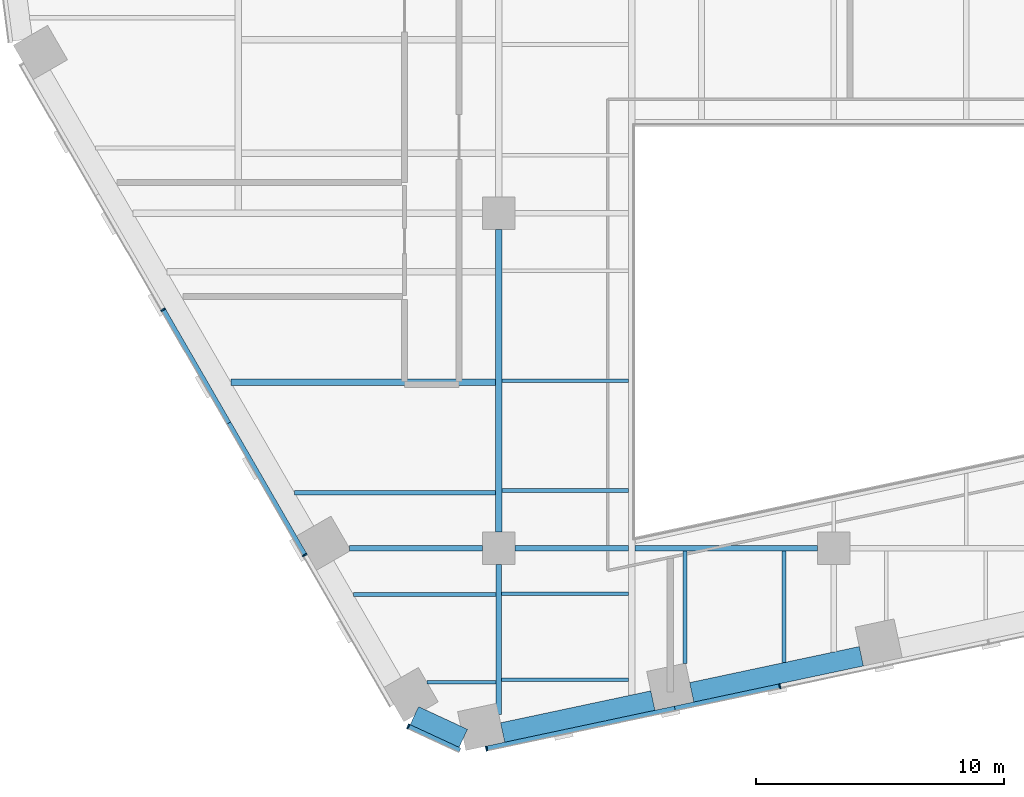
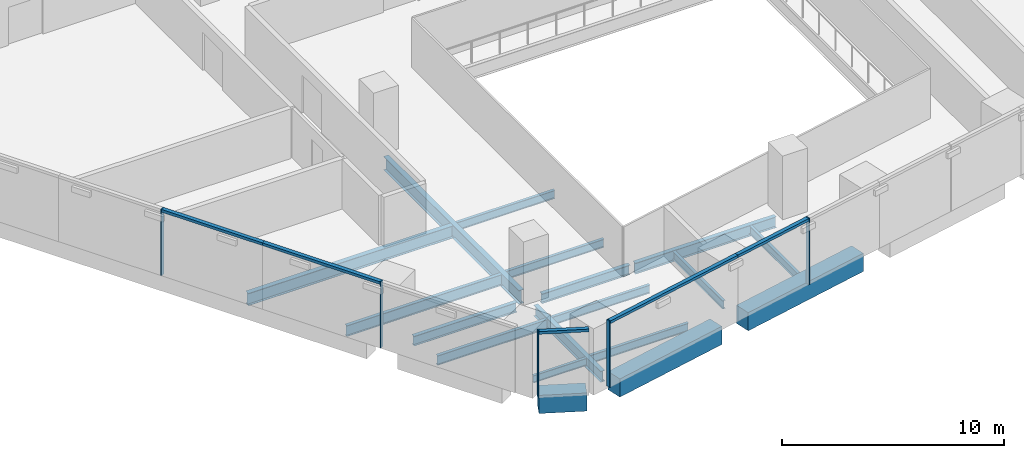
# One storey, part 2 of 21: 18 beams, 10 members, 3 elements without a shape of their own.
"""IFC4 building model written with IfcOpenShell, lengths in metres."""

from ifc_helpers import new_model, si_unit, direction, frame, origin, origin_2d, place, context, subcontext, project, spatial, rectangle, i_section, extrude, material, layer, layer_set, material_profile, profile_set, type_object, element, aggregate, save


model = new_model("IFC4")

# Units and contexts
model_context = context("Model", 3, precision=1e-05, world=origin(), true_north=direction((0.0, 1.0)))
body_context = subcontext(model_context, "Body", "Model", "MODEL_VIEW")
ifc_project = project(units=[si_unit("LENGTHUNIT", "METRE"), si_unit("AREAUNIT", "SQUARE_METRE"), si_unit("VOLUMEUNIT", "CUBIC_METRE"), si_unit("PLANEANGLEUNIT", "RADIAN"), si_unit("MASSUNIT", "GRAM", prefix="KILO")], contexts=[model_context])

# Site, building, storey
site_placement = place(None, origin())
site = spatial("IfcSite", under=ifc_project, at=site_placement, CompositionType="ELEMENT")
building_placement = place(site_placement, origin())
building = spatial("IfcBuilding", under=site, at=building_placement, Name="Isthmus Gate Tower", CompositionType="ELEMENT")
storey_placement = place(building_placement, frame((0.0, 0.0, 109.85009765625)))
storey = spatial("IfcBuildingStorey", under=building, at=storey_placement, Name="L26", CompositionType="ELEMENT", Elevation=109.85009765625)

# Curtain wall, members
ifc_material_1 = material(Name="Aluminium, pale champagne anodised", Category="aluminium")
ifc_layer = layer(ifc_material_1, 0.199951171875)
ifc_layer_set = layer_set([ifc_layer], Name="CW-1 UNITISED CURTAIN WALL 200 DEEP")
curtain_wall_type = type_object("IfcCurtainWallType", Name="CW-1 UNITISED CURTAIN WALL 200 DEEP", PredefinedType="NOTDEFINED", material=ifc_layer_set)
curtain_wall_1_placement = place(storey_placement, origin())
curtain_wall_1 = element("IfcCurtainWall", 1, at=curtain_wall_1_placement, inside=storey, type_object=curtain_wall_type, Name="CW-1 SW L26", PredefinedType="NOTDEFINED")
ifc_material_2 = material(Name="Aluminium, pale champagne anodised", Category="aluminium")
ifc_material_profile_1 = material_profile(ifc_material_2, rectangle(XDim=0.06005859375, YDim=0.199951171875, at=origin_2d()), Name="60x200")
ifc_profile_set_1 = profile_set([ifc_material_profile_1], Name="Aluminium, pale champagne anodised")
member_type_1 = type_object("IfcMemberType", Name="CW-1 MULLION 60 X 200", PredefinedType="MULLION", material=ifc_profile_set_1)
member_1_placement = place(storey_placement, frame((-27.026611328125, -17.388427734375, 0.0), z_axis=(0.0, 0.0, 1.0), x_axis=(0.5, -0.866025403784, 0.0)))
member_1 = element("IfcMember", 2, at=member_1_placement, type_object=member_type_1, Name="CW-1 mullion", PredefinedType="MULLION", context=body_context, shape_type="SweptSolid", body=[
    extrude(rectangle(XDim=0.06005859375, YDim=0.199951171875, at=origin_2d()), origin(), (0.0, 0.0, 1.0), 3.64990234375),
])
member_2_placement = place(storey_placement, frame((-21.318115234375, -27.27587890625, 0.0), z_axis=(0.0, 0.0, 1.0), x_axis=(0.5, -0.866025403784, 0.0)))
member_2 = element("IfcMember", 3, at=member_2_placement, type_object=member_type_1, Name="CW-1 mullion", PredefinedType="MULLION", context=body_context, shape_type="SweptSolid", body=[
    extrude(rectangle(XDim=0.06005859375, YDim=0.199951171875, at=origin_2d()), origin(), (0.0, 0.0, 1.0), 3.64990234375),
])

# Curtain wall, member
curtain_wall_2_placement = place(storey_placement, origin())
curtain_wall_2 = element("IfcCurtainWall", 4, at=curtain_wall_2_placement, inside=storey, type_object=curtain_wall_type, Name="CW-1 SW-S L26", PredefinedType="NOTDEFINED")
member_3_placement = place(storey_placement, frame((-17.14794921875, -34.184814453125, 0.0), z_axis=(0.0, 0.0, 1.0), x_axis=(0.907256261367, -0.420578264073, 0.0)))
member_3 = element("IfcMember", 5, at=member_3_placement, type_object=member_type_1, Name="CW-1 mullion", PredefinedType="MULLION", context=body_context, shape_type="SweptSolid", body=[
    extrude(rectangle(XDim=0.06005859375, YDim=0.199951171875, at=origin_2d()), origin(), (0.0, 0.0, 1.0), 3.64990234375),
])

# Curtain wall, members
curtain_wall_3_placement = place(storey_placement, origin())
curtain_wall_3 = element("IfcCurtainWall", 6, at=curtain_wall_3_placement, inside=storey, type_object=curtain_wall_type, Name="CW-1 S L26", PredefinedType="NOTDEFINED")
member_4_placement = place(storey_placement, frame((-13.992919921875, -35.076416015625, 0.0), z_axis=(0.0, 0.0, 1.0), x_axis=(0.978147600734, 0.207911690818, 0.0)))
member_4 = element("IfcMember", 7, at=member_4_placement, type_object=member_type_1, Name="CW-1 mullion", PredefinedType="MULLION", context=body_context, shape_type="SweptSolid", body=[
    extrude(rectangle(XDim=0.06005859375, YDim=0.199951171875, at=origin_2d()), origin(), (0.0, 0.0, 1.0), 3.64990234375),
])
member_5_placement = place(storey_placement, frame((-2.1728515625, -32.564208984375, 0.0), z_axis=(0.0, 0.0, 1.0), x_axis=(0.978147600734, 0.207911690818, 0.0)))
member_5 = element("IfcMember", 8, at=member_5_placement, type_object=member_type_1, Name="CW-1 mullion", PredefinedType="MULLION", context=body_context, shape_type="SweptSolid", body=[
    extrude(rectangle(XDim=0.06005859375, YDim=0.199951171875, at=origin_2d()), origin(), (0.0, 0.0, 1.0), 3.64990234375),
])

# Member
ifc_material_3 = material(Name="Aluminium, pale champagne anodised", Category="aluminium")
ifc_material_profile_2 = material_profile(ifc_material_3, rectangle(XDim=0.199951171875, YDim=0.14990234375, at=origin_2d()), Name="200x150")
ifc_profile_set_2 = profile_set([ifc_material_profile_2], Name="Aluminium, pale champagne anodised")
member_type_2 = type_object("IfcMemberType", Name="CW-1 TRANSOM 200 X 150", PredefinedType="USERDEFINED", material=ifc_profile_set_2)
member_6_placement = place(storey_placement, frame((-27.01171875, -17.414306640625, 3.574951171875), z_axis=(0.499996256241, -0.866027565234, 0.0), x_axis=(0.866027565234, 0.499996256241, 0.0)))
member_6 = element("IfcMember", 9, at=member_6_placement, type_object=member_type_2, Name="CW-1 transom", ObjectType="TRANSOM", PredefinedType="USERDEFINED", context=body_context, shape_type="SweptSolid", body=[
    extrude(rectangle(XDim=0.199951171875, YDim=0.14990234375, at=origin_2d()), origin(), (0.0, 0.0, 1.0), 5.24853515625),
])

member_7_placement = place(storey_placement, frame((-24.387451171875, -21.959716796875, 3.574951171875), z_axis=(0.500011900272, -0.86601853305, 0.0), x_axis=(0.86601853305, 0.500011900272, 0.0)))
member_7 = element("IfcMember", 10, at=member_7_placement, type_object=member_type_2, Name="CW-1 transom", ObjectType="TRANSOM", PredefinedType="USERDEFINED", context=body_context, shape_type="SweptSolid", body=[
    extrude(rectangle(XDim=0.199951171875, YDim=0.14990234375, at=origin_2d()), origin(), (0.0, 0.0, 1.0), 6.108642578125),
])

aggregate(curtain_wall_1, [member_1, member_6, member_7, member_2])

member_8_placement = place(storey_placement, frame((-17.120849609375, -34.197509765625, 3.574951171875), z_axis=(0.907246225564, -0.420599912268, 0.0), x_axis=(0.420599912268, 0.907246225564, 0.0)))
member_8 = element("IfcMember", 11, at=member_8_placement, type_object=member_type_2, Name="CW-1 transom", ObjectType="TRANSOM", PredefinedType="USERDEFINED", context=body_context, shape_type="SweptSolid", body=[
    extrude(rectangle(XDim=0.199951171875, YDim=0.14990234375, at=origin_2d()), origin(), (0.0, 0.0, 1.0), 2.258544921875),
])

aggregate(curtain_wall_2, [member_3, member_8])

member_9_placement = place(storey_placement, frame((-13.963623046875, -35.0703125, 3.574951171875), z_axis=(0.97815050153, 0.207898043176, 0.0), x_axis=(-0.207898043176, 0.97815050153, 0.0)))
member_9 = element("IfcMember", 12, at=member_9_placement, type_object=member_type_2, Name="CW-1 transom", ObjectType="TRANSOM", PredefinedType="USERDEFINED", context=body_context, shape_type="SweptSolid", body=[
    extrude(rectangle(XDim=0.199951171875, YDim=0.14990234375, at=origin_2d()), origin(), (0.0, 0.0, 1.0), 7.7294921875),
])

member_10_placement = place(storey_placement, frame((-6.403076171875, -33.46337890625, 3.574951171875), z_axis=(0.97813890815, 0.207952582007, 0.0), x_axis=(-0.207952582007, 0.97813890815, 0.0)))
member_10 = element("IfcMember", 13, at=member_10_placement, type_object=member_type_2, Name="CW-1 transom", ObjectType="TRANSOM", PredefinedType="USERDEFINED", context=body_context, shape_type="SweptSolid", body=[
    extrude(rectangle(XDim=0.199951171875, YDim=0.14990234375, at=origin_2d()), origin(), (0.0, 0.0, 1.0), 4.294677734375),
])

aggregate(curtain_wall_3, [member_4, member_9, member_10, member_5])

# Beams
ifc_material_4 = material(Name="Concrete f'c 70 MPa", Category="concrete")
ifc_material_profile_3 = material_profile(ifc_material_4, rectangle(XDim=0.800048828125, YDim=1.0, at=origin_2d()), Name="RC 800X1000")
ifc_profile_set_3 = profile_set([ifc_material_profile_3], Name="Concrete f'c 70 MPa")
beam_type_1 = type_object("IfcBeamType", Name="RC SPANDREL 800 X 1000", PredefinedType="SPANDREL", material=ifc_profile_set_3)
beam_1_placement = place(storey_placement, frame((1.112060546875, -31.354736328125, -0.5), z_axis=(-0.978149173437, -0.207904291694, 0.0), x_axis=(0.207904291694, -0.978149173437, 0.0)))
element("IfcBeam", 14, at=beam_1_placement, inside=storey, type_object=beam_type_1, Name="str-spandrel-L26-12", PredefinedType="SPANDREL", context=body_context, shape_type="SweptSolid", body=[
    extrude(rectangle(XDim=0.800048828125, YDim=1.0, at=origin_2d()), origin(), (0.0, 0.0, 1.0), 6.989501953125),
])
beam_2_placement = place(storey_placement, frame((-7.28955078125, -33.140625, -0.5), z_axis=(-0.978155442329, -0.207874795591, 0.0), x_axis=(0.207874795591, -0.978155442329, 0.0)))
element("IfcBeam", 15, at=beam_2_placement, inside=storey, type_object=beam_type_1, Name="str-spandrel-L26-13", PredefinedType="SPANDREL", context=body_context, shape_type="SweptSolid", body=[
    extrude(rectangle(XDim=0.800048828125, YDim=1.0, at=origin_2d()), origin(), (0.0, 0.0, 1.0), 6.189453125),
])
beam_3_placement = place(storey_placement, frame((-14.929443359375, -34.662109375, -0.5), z_axis=(-0.907290744498, 0.420503870314, 0.0), x_axis=(-0.420503870314, -0.907290744498, 0.0)))
element("IfcBeam", 16, at=beam_3_placement, inside=storey, type_object=beam_type_1, Name="str-spandrel-L26-14", PredefinedType="SPANDREL", context=body_context, shape_type="SweptSolid", body=[
    extrude(rectangle(XDim=0.800048828125, YDim=1.0, at=origin_2d()), origin(), (0.0, 0.0, 1.0), 2.173095703125),
])
ifc_material_5 = material(Name="Structural steel ASTM A992 Gr 50", Category="steel")
ifc_material_profile_4 = material_profile(ifc_material_5, i_section(OverallWidth=0.1396484375, OverallDepth=0.4033203125, WebThickness=0.00634765625, FlangeThickness=0.010986328125, at=origin_2d()), Name="W16X31")
ifc_profile_set_4 = profile_set([ifc_material_profile_4], Name="Structural steel ASTM A992 Gr 50")
beam_type_2 = type_object("IfcBeamType", Name="STEEL FLOOR BEAM W16X31", PredefinedType="JOIST", material=ifc_profile_set_4)
beam_4_placement = place(storey_placement, frame((-16.393310546875, -32.406005859375, -0.351806640625), z_axis=(1.0, 0.0, 0.0), x_axis=(0.0, 1.0, 0.0)))
element("IfcBeam", 17, at=beam_4_placement, inside=storey, type_object=beam_type_2, Name="str-beam-L26-10-00", PredefinedType="JOIST", context=body_context, shape_type="SweptSolid", body=[
    extrude(i_section(OverallWidth=0.1396484375, OverallDepth=0.4033203125, WebThickness=0.00634765625, FlangeThickness=0.010986328125, at=origin_2d()), origin(), (0.0, 0.0, 1.0), 2.779052734375),
])
ifc_material_6 = material(Name="Structural steel ASTM A992 Gr 50", Category="steel")
ifc_material_profile_5 = material_profile(ifc_material_6, i_section(OverallWidth=0.15234375, OverallDepth=0.45068359375, WebThickness=0.0078125, FlangeThickness=0.010986328125, at=origin_2d()), Name="W18X35")
ifc_profile_set_5 = profile_set([ifc_material_profile_5], Name="Structural steel ASTM A992 Gr 50")
beam_type_3 = type_object("IfcBeamType", Name="STEEL FLOOR BEAM W18X35", PredefinedType="JOIST", material=ifc_profile_set_5)
for number, where, z_axis, x_axis, name in (
    (18, (-13.3857421875, -32.30322265625, -0.37548828125), (1.0, 0.0, 0.0), (0.0, 1.0, 0.0), "str-beam-L26-11-00"),
    (19, (-13.3857421875, -28.837646484375, -0.37548828125), (1.0, 0.0, 0.0), (0.0, 1.0, 0.0), "str-beam-L26-11-01"),
):
    element("IfcBeam", number, at=place(storey_placement, frame(where, z_axis=z_axis, x_axis=x_axis)), inside=storey, type_object=beam_type_3, Name=name, PredefinedType="JOIST", context=body_context, shape_type="SweptSolid", body=[
        extrude(i_section(OverallWidth=0.15234375, OverallDepth=0.45068359375, WebThickness=0.0078125, FlangeThickness=0.010986328125, at=origin_2d()), origin(), (0.0, 0.0, 1.0), 5.119140625),
    ])
for number, where, z_axis, x_axis, name in (
    (20, (-13.3681640625, -24.68017578125, -0.37548828125), (1.0, 0.0, 0.0), (0.0, 1.0, 0.0), "str-beam-L26-13-00"),
    (21, (-13.3681640625, -20.25, -0.37548828125), (1.0, 0.0, 0.0), (0.0, 1.0, 0.0), "str-beam-L26-13-01"),
):
    element("IfcBeam", number, at=place(storey_placement, frame(where, z_axis=z_axis, x_axis=x_axis)), inside=storey, type_object=beam_type_3, Name=name, PredefinedType="JOIST", context=body_context, shape_type="SweptSolid", body=[
        extrude(i_section(OverallWidth=0.15234375, OverallDepth=0.45068359375, WebThickness=0.0078125, FlangeThickness=0.010986328125, at=origin_2d()), origin(), (0.0, 0.0, 1.0), 5.1015625),
    ])
beam_5_placement = place(storey_placement, frame((-6.0, -31.6396484375, -0.37548828125), z_axis=(0.0, 1.0, 0.0), x_axis=(-1.0, 0.0, 0.0)))
element("IfcBeam", 22, at=beam_5_placement, inside=storey, type_object=beam_type_3, Name="str-beam-L26-16-00", PredefinedType="JOIST", context=body_context, shape_type="SweptSolid", body=[
    extrude(i_section(OverallWidth=0.15234375, OverallDepth=0.45068359375, WebThickness=0.0078125, FlangeThickness=0.010986328125, at=origin_2d()), origin(), (0.0, 0.0, 1.0), 4.525390625),
])
beam_6_placement = place(storey_placement, frame((-2.0, -31.607177734375, -0.37548828125), z_axis=(0.0, 1.0, 0.0), x_axis=(-1.0, 0.0, 0.0)))
element("IfcBeam", 23, at=beam_6_placement, inside=storey, type_object=beam_type_3, Name="str-beam-L26-16-01", PredefinedType="JOIST", context=body_context, shape_type="SweptSolid", body=[
    extrude(i_section(OverallWidth=0.15234375, OverallDepth=0.45068359375, WebThickness=0.0078125, FlangeThickness=0.010986328125, at=origin_2d()), origin(), (0.0, 0.0, 1.0), 4.492919921875),
])
ifc_material_7 = material(Name="Structural steel ASTM A992 Gr 50", Category="steel")
ifc_material_profile_6 = material_profile(ifc_material_7, i_section(OverallWidth=0.1650390625, OverallDepth=0.52392578125, WebThickness=0.009521484375, FlangeThickness=0.010986328125, at=origin_2d()), Name="W21X44")
ifc_profile_set_6 = profile_set([ifc_material_profile_6], Name="Structural steel ASTM A992 Gr 50")
beam_type_4 = type_object("IfcBeamType", Name="STEEL FLOOR BEAM W21X44", PredefinedType="JOIST", material=ifc_profile_set_6)
beam_7_placement = place(storey_placement, frame((-19.357421875, -28.871826171875, -0.412109375), z_axis=(1.0, 0.0, 0.0), x_axis=(0.0, 1.0, 0.0)))
element("IfcBeam", 24, at=beam_7_placement, inside=storey, type_object=beam_type_4, Name="str-beam-L26-10-01", PredefinedType="JOIST", context=body_context, shape_type="SweptSolid", body=[
    extrude(i_section(OverallWidth=0.1650390625, OverallDepth=0.52392578125, WebThickness=0.009521484375, FlangeThickness=0.010986328125, at=origin_2d()), origin(), (0.0, 0.0, 1.0), 5.7431640625),
])
ifc_material_8 = material(Name="Structural steel ASTM A992 Gr 50", Category="steel")
ifc_material_profile_7 = material_profile(ifc_material_8, i_section(OverallWidth=0.177734375, OverallDepth=0.60009765625, WebThickness=0.009521484375, FlangeThickness=0.0126953125, at=origin_2d()), Name="W24X55")
ifc_profile_set_7 = profile_set([ifc_material_profile_7], Name="Structural steel ASTM A992 Gr 50")
beam_type_5 = type_object("IfcBeamType", Name="STEEL FLOOR BEAM W24X55", PredefinedType="JOIST", material=ifc_profile_set_7)
beam_8_placement = place(storey_placement, frame((-21.724365234375, -24.772216796875, -0.4501953125), z_axis=(1.0, 0.0, 0.0), x_axis=(0.0, 1.0, 0.0)))
element("IfcBeam", 25, at=beam_8_placement, inside=storey, type_object=beam_type_5, Name="str-beam-L26-06-00", PredefinedType="JOIST", context=body_context, shape_type="SweptSolid", body=[
    extrude(i_section(OverallWidth=0.177734375, OverallDepth=0.60009765625, WebThickness=0.009521484375, FlangeThickness=0.0126953125, at=origin_2d()), origin(), (0.0, 0.0, 1.0), 8.092529296875),
])
ifc_material_9 = material(Name="Structural steel ASTM A992 Gr 50", Category="steel")
ifc_material_profile_8 = material_profile(ifc_material_9, i_section(OverallWidth=0.25390625, OverallDepth=0.679443359375, WebThickness=0.010986328125, FlangeThickness=0.015869140625, at=origin_2d()), Name="W27X84")
ifc_profile_set_8 = profile_set([ifc_material_profile_8], Name="Structural steel ASTM A992 Gr 50")
beam_type_6 = type_object("IfcBeamType", Name="STEEL FLOOR BEAM W27X84", PredefinedType="JOIST", material=ifc_profile_set_8)
beam_9_placement = place(storey_placement, frame((-24.296875, -20.316650390625, -0.48974609375), z_axis=(1.0, 0.0, 0.0), x_axis=(0.0, 1.0, 0.0)))
element("IfcBeam", 26, at=beam_9_placement, inside=storey, type_object=beam_type_6, Name="str-beam-L26-06-01", PredefinedType="JOIST", context=body_context, shape_type="SweptSolid", body=[
    extrude(i_section(OverallWidth=0.25390625, OverallDepth=0.679443359375, WebThickness=0.010986328125, FlangeThickness=0.015869140625, at=origin_2d()), origin(), (0.0, 0.0, 1.0), 10.6650390625),
])
ifc_material_10 = material(Name="Structural steel ASTM A992 Gr 50", Category="steel")
ifc_material_profile_9 = material_profile(ifc_material_10, i_section(OverallWidth=0.20947265625, OverallDepth=0.533447265625, WebThickness=0.009521484375, FlangeThickness=0.015869140625, at=origin_2d()), Name="W21X62")
ifc_profile_set_9 = profile_set([ifc_material_profile_9], Name="Structural steel ASTM A992 Gr 50")
beam_type_7 = type_object("IfcBeamType", Name="STEEL GIRDER W21X62", PredefinedType="BEAM", material=ifc_profile_set_9)
beam_10_placement = place(storey_placement, frame((-19.514404296875, -27.0, -0.416748046875), z_axis=(1.0, 0.0, 0.0), x_axis=(0.0, 1.0, 0.0)))
element("IfcBeam", 27, at=beam_10_placement, inside=storey, type_object=beam_type_7, Name="str-girder-L26-01", PredefinedType="BEAM", context=body_context, shape_type="SweptSolid", body=[
    extrude(i_section(OverallWidth=0.20947265625, OverallDepth=0.533447265625, WebThickness=0.009521484375, FlangeThickness=0.015869140625, at=origin_2d()), origin(), (0.0, 0.0, 1.0), 5.364501953125),
])
beam_11_placement = place(storey_placement, frame((-12.85009765625, -27.0, -0.416748046875), z_axis=(1.0, 0.0, 0.0), x_axis=(0.0, 1.0, 0.0)))
element("IfcBeam", 28, at=beam_11_placement, inside=storey, type_object=beam_type_7, Name="str-girder-L26-02", PredefinedType="BEAM", context=body_context, shape_type="SweptSolid", body=[
    extrude(i_section(OverallWidth=0.20947265625, OverallDepth=0.533447265625, WebThickness=0.009521484375, FlangeThickness=0.015869140625, at=origin_2d()), origin(), (0.0, 0.0, 1.0), 4.58349609375),
])
ifc_material_11 = material(Name="Structural steel ASTM A992 Gr 50", Category="steel")
ifc_material_profile_10 = material_profile(ifc_material_11, i_section(OverallWidth=0.228515625, OverallDepth=0.603271484375, WebThickness=0.010986328125, FlangeThickness=0.014404296875, at=origin_2d()), Name="W24X68")
ifc_profile_set_10 = profile_set([ifc_material_profile_10], Name="Structural steel ASTM A992 Gr 50")
beam_type_8 = type_object("IfcBeamType", Name="STEEL GIRDER W24X68", PredefinedType="BEAM", material=ifc_profile_set_10)
beam_12_placement = place(storey_placement, frame((-8.0, -27.0, -0.45166015625), z_axis=(1.0, 0.0, 0.0), x_axis=(0.0, 1.0, 0.0)))
element("IfcBeam", 29, at=beam_12_placement, inside=storey, type_object=beam_type_8, Name="str-girder-L26-03", PredefinedType="BEAM", context=body_context, shape_type="SweptSolid", body=[
    extrude(i_section(OverallWidth=0.228515625, OverallDepth=0.603271484375, WebThickness=0.010986328125, FlangeThickness=0.014404296875, at=origin_2d()), origin(), (0.0, 0.0, 1.0), 7.35009765625),
])
beam_13_placement = place(storey_placement, frame((-13.5, -33.69189453125, -0.45166015625), z_axis=(0.0, 1.0, 0.0), x_axis=(-1.0, 0.0, 0.0)))
element("IfcBeam", 30, at=beam_13_placement, inside=storey, type_object=beam_type_8, Name="str-girder-L26-24", PredefinedType="BEAM", context=body_context, shape_type="SweptSolid", body=[
    extrude(i_section(OverallWidth=0.228515625, OverallDepth=0.603271484375, WebThickness=0.010986328125, FlangeThickness=0.014404296875, at=origin_2d()), origin(), (0.0, 0.0, 1.0), 6.0419921875),
])
ifc_material_12 = material(Name="Structural steel ASTM A992 Gr 50", Category="steel")
ifc_material_profile_11 = material_profile(ifc_material_12, i_section(OverallWidth=0.263427734375, OverallDepth=0.749267578125, WebThickness=0.0126953125, FlangeThickness=0.015869140625, at=origin_2d()), Name="W30X90")
ifc_profile_set_11 = profile_set([ifc_material_profile_11], Name="Structural steel ASTM A992 Gr 50")
beam_type_9 = type_object("IfcBeamType", Name="STEEL GIRDER W30X90", PredefinedType="BEAM", material=ifc_profile_set_11)
beam_14_placement = place(storey_placement, frame((-13.5, -26.35009765625, -0.524658203125), z_axis=(0.0, 1.0, 0.0), x_axis=(-1.0, 0.0, 0.0)))
element("IfcBeam", 31, at=beam_14_placement, inside=storey, type_object=beam_type_9, Name="str-girder-L26-25", PredefinedType="BEAM", context=body_context, shape_type="SweptSolid", body=[
    extrude(i_section(OverallWidth=0.263427734375, OverallDepth=0.749267578125, WebThickness=0.0126953125, FlangeThickness=0.015869140625, at=origin_2d()), origin(), (0.0, 0.0, 1.0), 12.2001953125),
])

save(model, "model.ifc")
